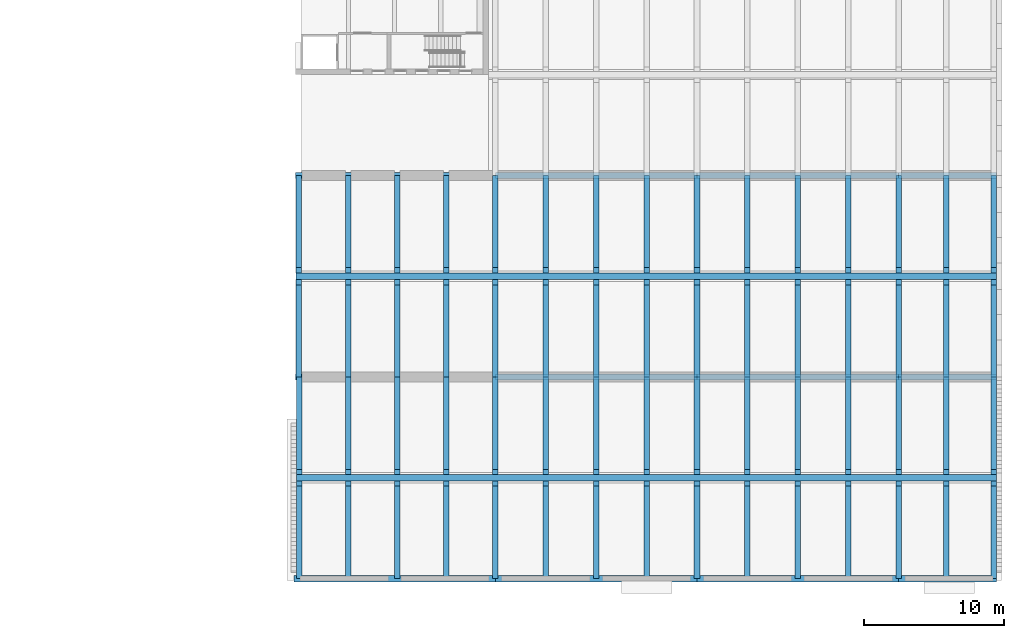
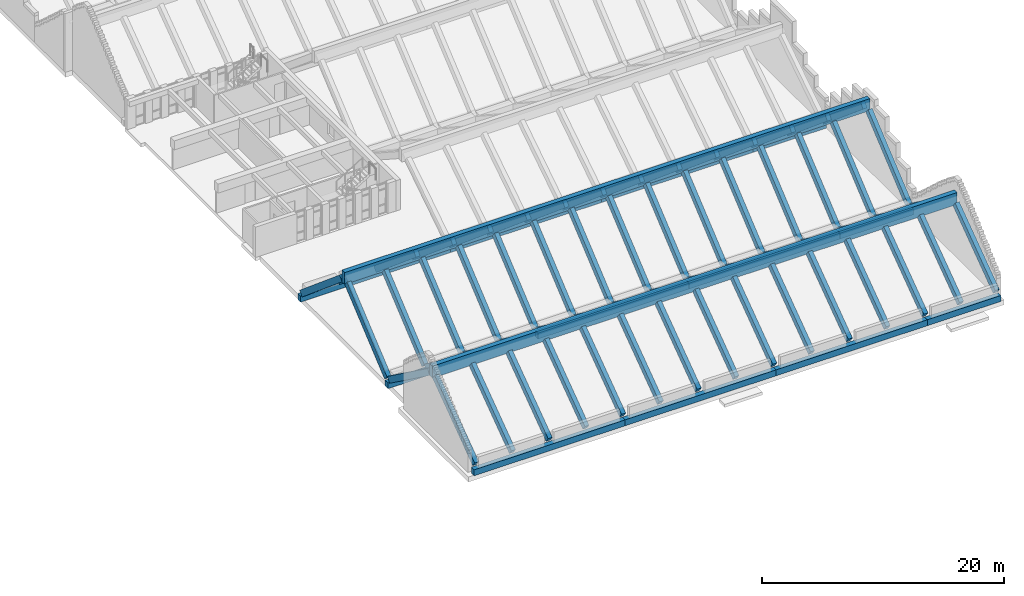
# One storey, part 4 of 31: 74 beams.
"""IFC4 building model written with IfcOpenShell, lengths in metres."""

from ifc_helpers import new_model, si_unit, direction, frame, origin, origin_2d, place, context, subcontext, project, spatial, rectangle, extrude, material, material_profile, profile_set, type_object, element, save


model = new_model("IFC4")

# Units and contexts
model_context = context("Model", 3, precision=1e-05, world=origin(), true_north=direction((0.0, 1.0)))
body_context = subcontext(model_context, "Body", "Model", "MODEL_VIEW")
ifc_project = project(units=[si_unit("LENGTHUNIT", "METRE"), si_unit("AREAUNIT", "SQUARE_METRE"), si_unit("VOLUMEUNIT", "CUBIC_METRE"), si_unit("PLANEANGLEUNIT", "RADIAN"), si_unit("MASSUNIT", "GRAM", prefix="KILO")], contexts=[model_context])

# Site, building, storey
site_placement = place(None, origin())
site = spatial("IfcSite", under=ifc_project, at=site_placement, CompositionType="ELEMENT")
building_placement = place(site_placement, origin())
building = spatial("IfcBuilding", under=site, at=building_placement, Name="Vermilion Court Aquatics Centre", CompositionType="ELEMENT")
storey_placement = place(building_placement, frame((0.0, 0.0, 16.5)))
storey = spatial("IfcBuildingStorey", under=building, at=storey_placement, Name="L03", CompositionType="ELEMENT", Elevation=16.5)

# Beams
ifc_material_1 = material(Name="Concrete 5000 psi", Category="concrete")
ifc_material_profile_1 = material_profile(ifc_material_1, rectangle(XDim=0.39990234375, YDim=0.60009765625, at=origin_2d()), Name="RC 400x600")
ifc_profile_set_1 = profile_set([ifc_material_profile_1], Name="Concrete 5000 psi")
beam_type_1 = type_object("IfcBeamType", Name="Podium roof rafter RC 400x600", PredefinedType="BEAM", material=ifc_profile_set_1)
for number, where, z_axis, x_axis, name in (
    (1, (144.39990234375, 0.1767578125, 0.8427734375), (0.0, 0.809017178583, 0.587784998752), (-1.0, 0.0, 0.0), "Roof rafter"),
    (2, (144.39990234375, 14.22314453125, 0.8427734375), (0.0, -0.809017178583, 0.587784998752), (1.0, 0.0, 0.0), "Roof rafter"),
    (3, (147.89990234375, 0.1767578125, 0.8427734375), (0.0, 0.809017178583, 0.587784998752), (-1.0, 0.0, 0.0), "Roof rafter"),
    (4, (147.89990234375, 14.22314453125, 0.8427734375), (0.0, -0.809017178583, 0.587784998752), (1.0, 0.0, 0.0), "Roof rafter"),
    (5, (151.39990234375, 0.1767578125, 0.8427734375), (0.0, 0.809017178583, 0.587784998752), (-1.0, 0.0, 0.0), "Roof rafter"),
    (6, (151.39990234375, 14.22314453125, 0.8427734375), (0.0, -0.809017178583, 0.587784998752), (1.0, 0.0, 0.0), "Roof rafter"),
    (7, (154.89990234375, 0.1767578125, 0.8427734375), (0.0, 0.809017178583, 0.587784998752), (-1.0, 0.0, 0.0), "Roof rafter"),
    (8, (154.89990234375, 14.22314453125, 0.8427734375), (0.0, -0.809017178583, 0.587784998752), (1.0, 0.0, 0.0), "Roof rafter"),
    (9, (158.39990234375, 0.1767578125, 0.8427734375), (0.0, 0.809017178583, 0.587784998752), (-1.0, 0.0, 0.0), "Roof rafter"),
    (10, (158.39990234375, 14.22314453125, 0.8427734375), (0.0, -0.809017178583, 0.587784998752), (1.0, 0.0, 0.0), "Roof rafter"),
    (11, (162.0, 0.1767578125, 0.8427734375), (0.0, 0.809017178583, 0.587784998752), (-1.0, 0.0, 0.0), "Roof rafter"),
    (12, (162.0, 14.22314453125, 0.8427734375), (0.0, -0.809017178583, 0.587784998752), (1.0, 0.0, 0.0), "Roof rafter"),
    (13, (165.60009765625, 0.1767578125, 0.8427734375), (0.0, 0.809017178583, 0.587784998752), (-1.0, 0.0, 0.0), "Roof rafter"),
    (14, (165.60009765625, 14.22314453125, 0.8427734375), (0.0, -0.809017178583, 0.587784998752), (1.0, 0.0, 0.0), "Roof rafter"),
    (15, (169.199951171875, 0.1767578125, 0.8427734375), (0.0, 0.809017178583, 0.587784998752), (-1.0, 0.0, 0.0), "Roof rafter"),
    (16, (169.199951171875, 14.22314453125, 0.8427734375), (0.0, -0.809017178583, 0.587784998752), (1.0, 0.0, 0.0), "Roof rafter"),
    (17, (172.800048828125, 0.1767578125, 0.8427734375), (0.0, 0.809017178583, 0.587784998752), (-1.0, 0.0, 0.0), "Roof rafter"),
    (18, (172.800048828125, 14.22314453125, 0.8427734375), (0.0, -0.809017178583, 0.587784998752), (1.0, 0.0, 0.0), "Roof rafter"),
    (19, (176.39990234375, 0.1767578125, 0.8427734375), (0.0, 0.809017178583, 0.587784998752), (-1.0, 0.0, 0.0), "Roof rafter"),
    (20, (176.39990234375, 14.22314453125, 0.8427734375), (0.0, -0.809017178583, 0.587784998752), (1.0, 0.0, 0.0), "Roof rafter"),
    (21, (180.0, 0.1767578125, 0.8427734375), (0.0, 0.809017178583, 0.587784998752), (-1.0, 0.0, 0.0), "Roof rafter"),
    (22, (180.0, 14.22314453125, 0.8427734375), (0.0, -0.809017178583, 0.587784998752), (1.0, 0.0, 0.0), "Roof rafter"),
    (23, (183.60009765625, 0.1767578125, 0.8427734375), (0.0, 0.809017178583, 0.587784998752), (-1.0, 0.0, 0.0), "Roof rafter"),
    (24, (183.60009765625, 14.22314453125, 0.8427734375), (0.0, -0.809017178583, 0.587784998752), (1.0, 0.0, 0.0), "Roof rafter"),
    (25, (187.199951171875, 0.1767578125, 0.8427734375), (0.0, 0.809017178583, 0.587784998752), (-1.0, 0.0, 0.0), "Roof rafter"),
    (26, (187.199951171875, 14.22314453125, 0.8427734375), (0.0, -0.809017178583, 0.587784998752), (1.0, 0.0, 0.0), "Roof rafter"),
    (27, (190.60009765625, 0.1767578125, 0.8427734375), (0.0, 0.809017178583, 0.587784998752), (-1.0, 0.0, 0.0), "Roof rafter"),
    (28, (190.60009765625, 14.22314453125, 0.8427734375), (0.0, -0.809017178583, 0.587784998752), (1.0, 0.0, 0.0), "Roof rafter"),
    (29, (194.0, 0.1767578125, 0.8427734375), (0.0, 0.809017178583, 0.587784998752), (-1.0, 0.0, 0.0), "Roof rafter"),
    (30, (194.0, 14.22314453125, 0.8427734375), (0.0, -0.809017178583, 0.587784998752), (1.0, 0.0, 0.0), "Roof rafter"),
):
    element("IfcBeam", number, at=place(storey_placement, frame(where, z_axis=z_axis, x_axis=x_axis)), inside=storey, type_object=beam_type_1, Name=name, PredefinedType="BEAM", context=body_context, shape_type="SweptSolid", body=[
        extrude(rectangle(XDim=0.39990234375, YDim=0.60009765625, at=origin_2d()), origin(), (0.0, 0.0, 1.0), 8.18505859375),
    ])
for number, where, z_axis, x_axis, name in (
    (31, (144.35009765625, 14.59326171875, 0.829833984375), (0.0, 0.76605312053, 0.642777268209), (-1.0, 0.0, 0.0), "Roof rafter"),
    (32, (144.35009765625, 28.606689453125, 0.829833984375), (0.0, -0.76605312053, 0.642777268209), (1.0, 0.0, 0.0), "Roof rafter"),
    (33, (147.89990234375, 14.59326171875, 0.829833984375), (0.0, 0.76605312053, 0.642777268209), (-1.0, 0.0, 0.0), "Roof rafter"),
    (34, (147.89990234375, 28.606689453125, 0.829833984375), (0.0, -0.76605312053, 0.642777268209), (1.0, 0.0, 0.0), "Roof rafter"),
    (35, (151.39990234375, 14.59326171875, 0.829833984375), (0.0, 0.76605312053, 0.642777268209), (-1.0, 0.0, 0.0), "Roof rafter"),
    (36, (151.39990234375, 28.606689453125, 0.829833984375), (0.0, -0.76605312053, 0.642777268209), (1.0, 0.0, 0.0), "Roof rafter"),
    (37, (154.89990234375, 14.59326171875, 0.829833984375), (0.0, 0.76605312053, 0.642777268209), (-1.0, 0.0, 0.0), "Roof rafter"),
    (38, (154.89990234375, 28.606689453125, 0.829833984375), (0.0, -0.76605312053, 0.642777268209), (1.0, 0.0, 0.0), "Roof rafter"),
    (39, (158.39990234375, 14.59326171875, 0.829833984375), (0.0, 0.76605312053, 0.642777268209), (-1.0, 0.0, 0.0), "Roof rafter"),
    (40, (158.39990234375, 28.606689453125, 0.829833984375), (0.0, -0.76605312053, 0.642777268209), (1.0, 0.0, 0.0), "Roof rafter"),
    (41, (162.0, 14.59326171875, 0.829833984375), (0.0, 0.76605312053, 0.642777268209), (-1.0, 0.0, 0.0), "Roof rafter"),
    (42, (162.0, 28.606689453125, 0.829833984375), (0.0, -0.76605312053, 0.642777268209), (1.0, 0.0, 0.0), "Roof rafter"),
    (43, (165.60009765625, 14.59326171875, 0.829833984375), (0.0, 0.76605312053, 0.642777268209), (-1.0, 0.0, 0.0), "Roof rafter"),
    (44, (165.60009765625, 28.606689453125, 0.829833984375), (0.0, -0.76605312053, 0.642777268209), (1.0, 0.0, 0.0), "Roof rafter"),
    (45, (169.199951171875, 14.59326171875, 0.829833984375), (0.0, 0.76605312053, 0.642777268209), (-1.0, 0.0, 0.0), "Roof rafter"),
    (46, (169.199951171875, 28.606689453125, 0.829833984375), (0.0, -0.76605312053, 0.642777268209), (1.0, 0.0, 0.0), "Roof rafter"),
    (47, (172.800048828125, 14.59326171875, 0.829833984375), (0.0, 0.76605312053, 0.642777268209), (-1.0, 0.0, 0.0), "Roof rafter"),
    (48, (172.800048828125, 28.606689453125, 0.829833984375), (0.0, -0.76605312053, 0.642777268209), (1.0, 0.0, 0.0), "Roof rafter"),
    (49, (176.39990234375, 14.59326171875, 0.829833984375), (0.0, 0.76605312053, 0.642777268209), (-1.0, 0.0, 0.0), "Roof rafter"),
    (50, (176.39990234375, 28.606689453125, 0.829833984375), (0.0, -0.76605312053, 0.642777268209), (1.0, 0.0, 0.0), "Roof rafter"),
    (51, (180.0, 14.59326171875, 0.829833984375), (0.0, 0.76605312053, 0.642777268209), (-1.0, 0.0, 0.0), "Roof rafter"),
    (52, (180.0, 28.606689453125, 0.829833984375), (0.0, -0.76605312053, 0.642777268209), (1.0, 0.0, 0.0), "Roof rafter"),
    (53, (183.60009765625, 14.59326171875, 0.829833984375), (0.0, 0.76605312053, 0.642777268209), (-1.0, 0.0, 0.0), "Roof rafter"),
    (54, (183.60009765625, 28.606689453125, 0.829833984375), (0.0, -0.76605312053, 0.642777268209), (1.0, 0.0, 0.0), "Roof rafter"),
    (55, (187.199951171875, 14.59326171875, 0.829833984375), (0.0, 0.76605312053, 0.642777268209), (-1.0, 0.0, 0.0), "Roof rafter"),
    (56, (187.199951171875, 28.606689453125, 0.829833984375), (0.0, -0.76605312053, 0.642777268209), (1.0, 0.0, 0.0), "Roof rafter"),
    (57, (190.60009765625, 14.59326171875, 0.829833984375), (0.0, 0.76605312053, 0.642777268209), (-1.0, 0.0, 0.0), "Roof rafter"),
    (58, (190.60009765625, 28.606689453125, 0.829833984375), (0.0, -0.76605312053, 0.642777268209), (1.0, 0.0, 0.0), "Roof rafter"),
    (59, (194.0, 14.59326171875, 0.829833984375), (0.0, 0.76605312053, 0.642777268209), (-1.0, 0.0, 0.0), "Roof rafter"),
    (60, (194.0, 28.606689453125, 0.829833984375), (0.0, -0.76605312053, 0.642777268209), (1.0, 0.0, 0.0), "Roof rafter"),
):
    element("IfcBeam", number, at=place(storey_placement, frame(where, z_axis=z_axis, x_axis=x_axis)), inside=storey, type_object=beam_type_1, Name=name, PredefinedType="BEAM", context=body_context, shape_type="SweptSolid", body=[
        extrude(rectangle(XDim=0.39990234375, YDim=0.60009765625, at=origin_2d()), origin(), (0.0, 0.0, 1.0), 8.60107421875),
    ])
ifc_material_2 = material(Name="Concrete 5000 psi", Category="concrete")
ifc_material_profile_2 = material_profile(ifc_material_2, rectangle(XDim=0.449951171875, YDim=1.199951171875, at=origin_2d()), Name="RC 450x1200")
ifc_profile_set_2 = profile_set([ifc_material_profile_2], Name="Concrete 5000 psi")
beam_type_2 = type_object("IfcBeamType", Name="Podium roof ridge beam RC 450x1200", PredefinedType="BEAM", material=ifc_profile_set_2)
beam_1_placement = place(storey_placement, frame((144.199951171875, 7.199951171875, 6.010986328125), z_axis=(1.0, 0.0, 0.0), x_axis=(0.0, 1.0, 0.0)))
element("IfcBeam", 61, at=beam_1_placement, inside=storey, type_object=beam_type_2, Name="Roof ridge beam", PredefinedType="BEAM", context=body_context, shape_type="SweptSolid", body=[
    extrude(rectangle(XDim=0.449951171875, YDim=1.199951171875, at=origin_2d()), origin(), (0.0, 0.0, 1.0), 50.0),
])
beam_2_placement = place(storey_placement, frame((144.14990234375, 21.60009765625, 6.728759765625), z_axis=(1.0, 0.0, 0.0), x_axis=(0.0, 1.0, 0.0)))
element("IfcBeam", 62, at=beam_2_placement, inside=storey, type_object=beam_type_2, Name="Roof ridge beam", PredefinedType="BEAM", context=body_context, shape_type="SweptSolid", body=[
    extrude(rectangle(XDim=0.449951171875, YDim=1.199951171875, at=origin_2d()), origin(), (0.0, 0.0, 1.0), 50.050048828125),
])
ifc_material_3 = material(Name="Concrete 5000 psi", Category="concrete")
ifc_material_profile_3 = material_profile(ifc_material_3, rectangle(XDim=0.449951171875, YDim=0.60009765625, at=origin_2d()), Name="RC 450x600")
ifc_profile_set_3 = profile_set([ifc_material_profile_3], Name="Concrete 5000 psi")
beam_type_3 = type_object("IfcBeamType", Name="Podium roof valley beam RC 450x600", PredefinedType="BEAM", material=ifc_profile_set_3)
beam_3_placement = place(storey_placement, frame((144.0, 0.0, 0.300048828125), z_axis=(1.0, 0.0, 0.0), x_axis=(0.0, 1.0, 0.0)))
element("IfcBeam", 63, at=beam_3_placement, inside=storey, type_object=beam_type_3, Name="Roof valley beam", PredefinedType="BEAM", context=body_context, shape_type="SweptSolid", body=[
    extrude(rectangle(XDim=0.449951171875, YDim=0.60009765625, at=origin_2d()), origin(), (0.0, 0.0, 1.0), 14.39990234375),
])
beam_4_placement = place(storey_placement, frame((158.39990234375, 0.0, 0.300048828125), z_axis=(1.0, 0.0, 0.0), x_axis=(0.0, 1.0, 0.0)))
element("IfcBeam", 64, at=beam_4_placement, inside=storey, type_object=beam_type_3, Name="Roof valley beam", PredefinedType="BEAM", context=body_context, shape_type="SweptSolid", body=[
    extrude(rectangle(XDim=0.449951171875, YDim=0.60009765625, at=origin_2d()), origin(), (0.0, 0.0, 1.0), 14.400146484375),
])
beam_5_placement = place(storey_placement, frame((172.800048828125, 0.0, 0.300048828125), z_axis=(1.0, 0.0, 0.0), x_axis=(0.0, 1.0, 0.0)))
element("IfcBeam", 65, at=beam_5_placement, inside=storey, type_object=beam_type_3, Name="Roof valley beam", PredefinedType="BEAM", context=body_context, shape_type="SweptSolid", body=[
    extrude(rectangle(XDim=0.449951171875, YDim=0.60009765625, at=origin_2d()), origin(), (0.0, 0.0, 1.0), 14.39990234375),
])
beam_6_placement = place(storey_placement, frame((187.199951171875, 0.0, 0.300048828125), z_axis=(1.0, 0.0, 0.0), x_axis=(0.0, 1.0, 0.0)))
element("IfcBeam", 66, at=beam_6_placement, inside=storey, type_object=beam_type_3, Name="Roof valley beam", PredefinedType="BEAM", context=body_context, shape_type="SweptSolid", body=[
    extrude(rectangle(XDim=0.449951171875, YDim=0.60009765625, at=origin_2d()), origin(), (0.0, 0.0, 1.0), 7.0),
])
beam_7_placement = place(storey_placement, frame((144.110107421875, 14.39990234375, 0.300048828125), z_axis=(1.0, 0.0, 0.0), x_axis=(0.0, 1.0, 0.0)))
element("IfcBeam", 67, at=beam_7_placement, inside=storey, type_object=beam_type_3, Name="Roof valley beam", PredefinedType="BEAM", context=body_context, shape_type="SweptSolid", body=[
    extrude(rectangle(XDim=0.449951171875, YDim=0.60009765625, at=origin_2d()), origin(), (0.0, 0.0, 1.0), 14.289794921875),
])
beam_8_placement = place(storey_placement, frame((158.39990234375, 14.39990234375, 0.300048828125), z_axis=(1.0, 0.0, 0.0), x_axis=(0.0, 1.0, 0.0)))
element("IfcBeam", 68, at=beam_8_placement, inside=storey, type_object=beam_type_3, Name="Roof valley beam", PredefinedType="BEAM", context=body_context, shape_type="SweptSolid", body=[
    extrude(rectangle(XDim=0.449951171875, YDim=0.60009765625, at=origin_2d()), origin(), (0.0, 0.0, 1.0), 14.400146484375),
])
beam_9_placement = place(storey_placement, frame((172.800048828125, 14.39990234375, 0.300048828125), z_axis=(1.0, 0.0, 0.0), x_axis=(0.0, 1.0, 0.0)))
element("IfcBeam", 69, at=beam_9_placement, inside=storey, type_object=beam_type_3, Name="Roof valley beam", PredefinedType="BEAM", context=body_context, shape_type="SweptSolid", body=[
    extrude(rectangle(XDim=0.449951171875, YDim=0.60009765625, at=origin_2d()), origin(), (0.0, 0.0, 1.0), 14.39990234375),
])
beam_10_placement = place(storey_placement, frame((187.199951171875, 14.39990234375, 0.300048828125), z_axis=(1.0, 0.0, 0.0), x_axis=(0.0, 1.0, 0.0)))
element("IfcBeam", 70, at=beam_10_placement, inside=storey, type_object=beam_type_3, Name="Roof valley beam", PredefinedType="BEAM", context=body_context, shape_type="SweptSolid", body=[
    extrude(rectangle(XDim=0.449951171875, YDim=0.60009765625, at=origin_2d()), origin(), (0.0, 0.0, 1.0), 7.0),
])
beam_11_placement = place(storey_placement, frame((144.110107421875, 28.800048828125, 0.300048828125), z_axis=(1.0, 0.0, 0.0), x_axis=(0.0, 1.0, 0.0)))
element("IfcBeam", 71, at=beam_11_placement, inside=storey, type_object=beam_type_3, Name="Roof valley beam", PredefinedType="BEAM", context=body_context, shape_type="SweptSolid", body=[
    extrude(rectangle(XDim=0.449951171875, YDim=0.60009765625, at=origin_2d()), origin(), (0.0, 0.0, 1.0), 14.289794921875),
])
beam_12_placement = place(storey_placement, frame((158.39990234375, 28.800048828125, 0.300048828125), z_axis=(1.0, 0.0, 0.0), x_axis=(0.0, 1.0, 0.0)))
element("IfcBeam", 72, at=beam_12_placement, inside=storey, type_object=beam_type_3, Name="Roof valley beam", PredefinedType="BEAM", context=body_context, shape_type="SweptSolid", body=[
    extrude(rectangle(XDim=0.449951171875, YDim=0.60009765625, at=origin_2d()), origin(), (0.0, 0.0, 1.0), 14.400146484375),
])
beam_13_placement = place(storey_placement, frame((172.800048828125, 28.800048828125, 0.300048828125), z_axis=(1.0, 0.0, 0.0), x_axis=(0.0, 1.0, 0.0)))
element("IfcBeam", 73, at=beam_13_placement, inside=storey, type_object=beam_type_3, Name="Roof valley beam", PredefinedType="BEAM", context=body_context, shape_type="SweptSolid", body=[
    extrude(rectangle(XDim=0.449951171875, YDim=0.60009765625, at=origin_2d()), origin(), (0.0, 0.0, 1.0), 14.39990234375),
])
beam_14_placement = place(storey_placement, frame((187.199951171875, 28.800048828125, 0.300048828125), z_axis=(1.0, 0.0, 0.0), x_axis=(0.0, 1.0, 0.0)))
element("IfcBeam", 74, at=beam_14_placement, inside=storey, type_object=beam_type_3, Name="Roof valley beam", PredefinedType="BEAM", context=body_context, shape_type="SweptSolid", body=[
    extrude(rectangle(XDim=0.449951171875, YDim=0.60009765625, at=origin_2d()), origin(), (0.0, 0.0, 1.0), 7.0),
])

save(model, "model.ifc")
